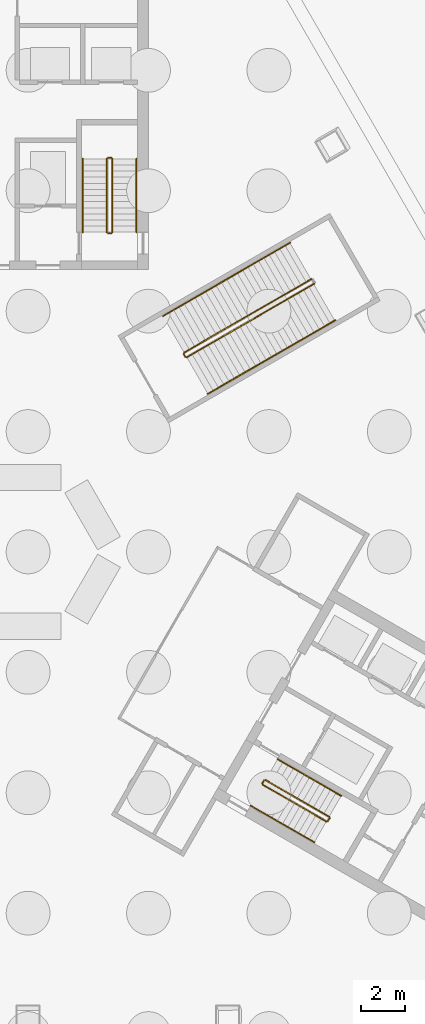
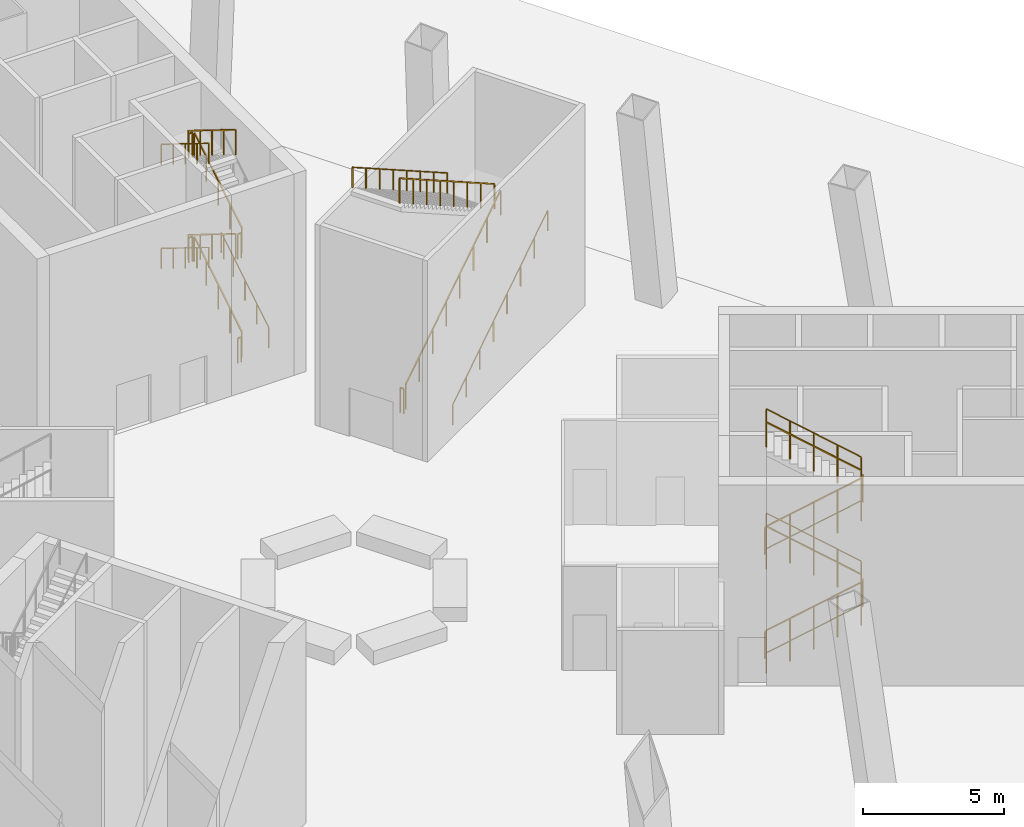
# One storey, part 8 of 10: 28 railings.
"""IFC4 building model written with IfcOpenShell, lengths in metres."""

from ifc_helpers import new_model, si_unit, direction, frame, origin, origin_2d, place, context, subcontext, project, spatial, rectangle, circle, extrude, material, type_object, element, save


model = new_model("IFC4")

# Units and contexts
model_context = context("Model", 3, precision=1e-05, world=origin(), true_north=direction((0.0, 1.0)))
body_context = subcontext(model_context, "Body", "Model", "MODEL_VIEW")
ifc_project = project(units=[si_unit("LENGTHUNIT", "METRE"), si_unit("AREAUNIT", "SQUARE_METRE"), si_unit("VOLUMEUNIT", "CUBIC_METRE"), si_unit("PLANEANGLEUNIT", "RADIAN"), si_unit("MASSUNIT", "GRAM", prefix="KILO")], contexts=[model_context])

# Site, building, storey
site_placement = place(None, origin())
site = spatial("IfcSite", under=ifc_project, at=site_placement, CompositionType="ELEMENT")
building_placement = place(site_placement, origin())
building = spatial("IfcBuilding", under=site, at=building_placement, Name="Apuvela Tower Hotel", CompositionType="ELEMENT")
storey_placement = place(building_placement, origin())
storey = spatial("IfcBuildingStorey", under=building, at=storey_placement, Name="L00", CompositionType="ELEMENT", Elevation=0.0)

# Railings
ifc_material_1 = material(Name="Steel S275 balustrade", Category="steel")
railing_type_1 = type_object("IfcRailingType", Name="COR-GUARD-1100", PredefinedType="GUARDRAIL", material=ifc_material_1)
railing_1_placement = place(storey_placement, frame((3.85009765625, 14.60009765625, 0.173095703125)))
element("IfcRailing", 1, at=railing_1_placement, inside=storey, type_object=railing_type_1, Name="L00 ST1 stair guard 1", PredefinedType="GUARDRAIL", context=body_context, shape_type="SweptSolid", body=[
    extrude(rectangle(XDim=0.048095703125, YDim=0.048095703125, at=origin_2d()), frame((0.0, 0.0, 1.076171875), z_axis=(0.0, 0.850606129759, 0.525803396734), x_axis=(-1.0, 0.0, 0.0)), (0.0, 0.0, 1.0), 3.949951171875),
    extrude(rectangle(XDim=0.0419921875, YDim=0.0419921875, at=origin_2d()), origin(), (0.0, 0.0, 1.0), 1.052001953125),
    extrude(rectangle(XDim=0.0419921875, YDim=0.0419921875, at=origin_2d()), frame((0.0, 0.83984375, 0.519287109375)), (0.0, 0.0, 1.0), 1.052001953125),
    extrude(rectangle(XDim=0.0419921875, YDim=0.0419921875, at=origin_2d()), frame((0.0, 1.679931640625, 1.03857421875)), (0.0, 0.0, 1.0), 1.052001953125),
    extrude(rectangle(XDim=0.0419921875, YDim=0.0419921875, at=origin_2d()), frame((0.0, 2.52001953125, 1.5576171875)), (0.0, 0.0, 1.0), 1.052001953125),
    extrude(rectangle(XDim=0.0419921875, YDim=0.0419921875, at=origin_2d()), frame((0.0, 3.35986328125, 2.076904296875)), (0.0, 0.0, 1.0), 1.052001953125),
])
railing_2_placement = place(storey_placement, frame((3.800048828125, 18.010009765625, 2.25)))
element("IfcRailing", 2, at=railing_2_placement, inside=storey, type_object=railing_type_1, Name="L00 ST1 stair guard 2", PredefinedType="GUARDRAIL", context=body_context, shape_type="SweptSolid", body=[
    extrude(rectangle(XDim=0.048095703125, YDim=0.048095703125, at=origin_2d()), frame((0.0, 0.0, 1.076171875), z_axis=(-1.0, 0.0, 0.0), x_axis=(0.0, -1.0, 0.0)), (0.0, 0.0, 1.0), 0.150146484375),
    extrude(rectangle(XDim=0.0419921875, YDim=0.0419921875, at=origin_2d()), origin(), (0.0, 0.0, 1.0), 1.052001953125),
    extrude(rectangle(XDim=0.0419921875, YDim=0.0419921875, at=origin_2d()), frame((-0.150146484375, 0.0, 0.0)), (0.0, 0.0, 1.0), 1.052001953125),
])
railing_3_placement = place(storey_placement, frame((3.60009765625, 17.9599609375, 2.423095703125)))
element("IfcRailing", 3, at=railing_3_placement, inside=storey, type_object=railing_type_1, Name="L00 ST1 stair guard 3", PredefinedType="GUARDRAIL", context=body_context, shape_type="SweptSolid", body=[
    extrude(rectangle(XDim=0.048095703125, YDim=0.048095703125, at=origin_2d()), frame((0.0, 0.0, 1.076171875), z_axis=(0.0, -0.850606129759, 0.525803396734), x_axis=(1.0, 0.0, 0.0)), (0.0, 0.0, 1.0), 3.949951171875),
    extrude(rectangle(XDim=0.0419921875, YDim=0.0419921875, at=origin_2d()), origin(), (0.0, 0.0, 1.0), 1.052001953125),
    extrude(rectangle(XDim=0.0419921875, YDim=0.0419921875, at=origin_2d()), frame((0.0, -0.83984375, 0.519287109375)), (0.0, 0.0, 1.0), 1.052001953125),
    extrude(rectangle(XDim=0.0419921875, YDim=0.0419921875, at=origin_2d()), frame((0.0, -1.679931640625, 1.03857421875)), (0.0, 0.0, 1.0), 1.052001953125),
    extrude(rectangle(XDim=0.0419921875, YDim=0.0419921875, at=origin_2d()), frame((0.0, -2.52001953125, 1.5576171875)), (0.0, 0.0, 1.0), 1.052001953125),
    extrude(rectangle(XDim=0.0419921875, YDim=0.0419921875, at=origin_2d()), frame((0.0, -3.35986328125, 2.076904296875)), (0.0, 0.0, 1.0), 1.052001953125),
])
railing_4_placement = place(storey_placement, frame((3.800048828125, 14.550048828125, 4.5)))
element("IfcRailing", 4, at=railing_4_placement, inside=storey, type_object=railing_type_1, Name="L00 ST1 stair guard 4", PredefinedType="GUARDRAIL", context=body_context, shape_type="SweptSolid", body=[
    extrude(rectangle(XDim=0.048095703125, YDim=0.048095703125, at=origin_2d()), frame((0.0, 0.0, 1.076171875), z_axis=(-1.0, 0.0, 0.0), x_axis=(0.0, -1.0, 0.0)), (0.0, 0.0, 1.0), 0.150146484375),
    extrude(rectangle(XDim=0.0419921875, YDim=0.0419921875, at=origin_2d()), origin(), (0.0, 0.0, 1.0), 1.052001953125),
    extrude(rectangle(XDim=0.0419921875, YDim=0.0419921875, at=origin_2d()), frame((-0.150146484375, 0.0, 0.0)), (0.0, 0.0, 1.0), 1.052001953125),
])
railing_5_placement = place(storey_placement, frame((3.85009765625, 14.60009765625, 4.673095703125)))
element("IfcRailing", 5, at=railing_5_placement, inside=storey, type_object=railing_type_1, Name="L00 ST1 stair guard 5", PredefinedType="GUARDRAIL", context=body_context, shape_type="SweptSolid", body=[
    extrude(rectangle(XDim=0.048095703125, YDim=0.048095703125, at=origin_2d()), frame((0.0, 0.0, 1.076171875), z_axis=(0.0, 0.850606129759, 0.525803396734), x_axis=(-1.0, 0.0, 0.0)), (0.0, 0.0, 1.0), 3.949951171875),
    extrude(rectangle(XDim=0.0419921875, YDim=0.0419921875, at=origin_2d()), origin(), (0.0, 0.0, 1.0), 1.052001953125),
    extrude(rectangle(XDim=0.0419921875, YDim=0.0419921875, at=origin_2d()), frame((0.0, 0.83984375, 0.519287109375)), (0.0, 0.0, 1.0), 1.052001953125),
    extrude(rectangle(XDim=0.0419921875, YDim=0.0419921875, at=origin_2d()), frame((0.0, 1.679931640625, 1.03857421875)), (0.0, 0.0, 1.0), 1.052001953125),
    extrude(rectangle(XDim=0.0419921875, YDim=0.0419921875, at=origin_2d()), frame((0.0, 2.52001953125, 1.5576171875)), (0.0, 0.0, 1.0), 1.052001953125),
    extrude(rectangle(XDim=0.0419921875, YDim=0.0419921875, at=origin_2d()), frame((0.0, 3.35986328125, 2.076904296875)), (0.0, 0.0, 1.0), 1.052001953125),
])
railing_6_placement = place(storey_placement, frame((3.800048828125, 18.010009765625, 6.75)))
element("IfcRailing", 6, at=railing_6_placement, inside=storey, type_object=railing_type_1, Name="L00 ST1 stair guard 6", PredefinedType="GUARDRAIL", context=body_context, shape_type="SweptSolid", body=[
    extrude(rectangle(XDim=0.048095703125, YDim=0.048095703125, at=origin_2d()), frame((0.0, 0.0, 1.076171875), z_axis=(-1.0, 0.0, 0.0), x_axis=(0.0, -1.0, 0.0)), (0.0, 0.0, 1.0), 0.150146484375),
    extrude(rectangle(XDim=0.0419921875, YDim=0.0419921875, at=origin_2d()), origin(), (0.0, 0.0, 1.0), 1.052001953125),
    extrude(rectangle(XDim=0.0419921875, YDim=0.0419921875, at=origin_2d()), frame((-0.150146484375, 0.0, 0.0)), (0.0, 0.0, 1.0), 1.052001953125),
])
railing_7_placement = place(storey_placement, frame((3.60009765625, 17.9599609375, 6.923095703125)))
element("IfcRailing", 7, at=railing_7_placement, inside=storey, type_object=railing_type_1, Name="L00 ST1 stair guard 7", PredefinedType="GUARDRAIL", context=body_context, shape_type="SweptSolid", body=[
    extrude(rectangle(XDim=0.048095703125, YDim=0.048095703125, at=origin_2d()), frame((0.0, 0.0, 1.076171875), z_axis=(0.0, -0.850606129759, 0.525803396734), x_axis=(1.0, 0.0, 0.0)), (0.0, 0.0, 1.0), 3.949951171875),
    extrude(rectangle(XDim=0.0419921875, YDim=0.0419921875, at=origin_2d()), origin(), (0.0, 0.0, 1.0), 1.052001953125),
    extrude(rectangle(XDim=0.0419921875, YDim=0.0419921875, at=origin_2d()), frame((0.0, -0.83984375, 0.519287109375)), (0.0, 0.0, 1.0), 1.052001953125),
    extrude(rectangle(XDim=0.0419921875, YDim=0.0419921875, at=origin_2d()), frame((0.0, -1.679931640625, 1.03857421875)), (0.0, 0.0, 1.0), 1.052001953125),
    extrude(rectangle(XDim=0.0419921875, YDim=0.0419921875, at=origin_2d()), frame((0.0, -2.52001953125, 1.5576171875)), (0.0, 0.0, 1.0), 1.052001953125),
    extrude(rectangle(XDim=0.0419921875, YDim=0.0419921875, at=origin_2d()), frame((0.0, -3.35986328125, 2.076904296875)), (0.0, 0.0, 1.0), 1.052001953125),
])
railing_8_placement = place(storey_placement, frame((3.800048828125, 14.550048828125, 0.0)))
element("IfcRailing", 8, at=railing_8_placement, inside=storey, type_object=railing_type_1, Name="L00 ST1 stair guard 8", PredefinedType="GUARDRAIL", context=body_context, shape_type="SweptSolid", body=[
    extrude(rectangle(XDim=0.048095703125, YDim=0.048095703125, at=origin_2d()), frame((0.0, 0.0, 1.076171875), z_axis=(-1.0, 0.0, 0.0), x_axis=(0.0, -1.0, 0.0)), (0.0, 0.0, 1.0), 0.150146484375),
    extrude(rectangle(XDim=0.0419921875, YDim=0.0419921875, at=origin_2d()), origin(), (0.0, 0.0, 1.0), 1.052001953125),
    extrude(rectangle(XDim=0.0419921875, YDim=0.0419921875, at=origin_2d()), frame((-0.150146484375, 0.0, 0.0)), (0.0, 0.0, 1.0), 1.052001953125),
])
railing_9_placement = place(storey_placement, frame((10.718994140625, -10.63427734375, 0.173095703125)))
element("IfcRailing", 9, at=railing_9_placement, inside=storey, type_object=railing_type_1, Name="L00 ST3 stair guard 1", PredefinedType="GUARDRAIL", context=body_context, shape_type="SweptSolid", body=[
    extrude(rectangle(XDim=0.048095703125, YDim=0.048095703125, at=origin_2d()), frame((0.0, 0.0, 1.076171875), z_axis=(0.736667954249, -0.425288379326, 0.525785240943), x_axis=(0.499976138585, 0.866039179741, 0.0)), (0.0, 0.0, 1.0), 3.9501953125),
    extrude(rectangle(XDim=0.0419921875, YDim=0.0419921875, at=origin_2d()), origin(), (0.0, 0.0, 1.0), 1.052001953125),
    extrude(rectangle(XDim=0.0419921875, YDim=0.0419921875, at=origin_2d()), frame((0.7275390625, -0.419921875, 0.519287109375)), (0.0, 0.0, 1.0), 1.052001953125),
    extrude(rectangle(XDim=0.0419921875, YDim=0.0419921875, at=origin_2d()), frame((1.455078125, -0.83984375, 1.03857421875)), (0.0, 0.0, 1.0), 1.052001953125),
    extrude(rectangle(XDim=0.0419921875, YDim=0.0419921875, at=origin_2d()), frame((2.182373046875, -1.260009765625, 1.5576171875)), (0.0, 0.0, 1.0), 1.052001953125),
    extrude(rectangle(XDim=0.0419921875, YDim=0.0419921875, at=origin_2d()), frame((2.909912109375, -1.679931640625, 2.076904296875)), (0.0, 0.0, 1.0), 1.052001953125),
])
railing_10_placement = place(storey_placement, frame((13.697021484375, -12.2958984375, 2.25)))
element("IfcRailing", 10, at=railing_10_placement, inside=storey, type_object=railing_type_1, Name="L00 ST3 stair guard 2", PredefinedType="GUARDRAIL", context=body_context, shape_type="SweptSolid", body=[
    extrude(rectangle(XDim=0.048095703125, YDim=0.048095703125, at=origin_2d()), frame((0.0, 0.0, 1.076171875), z_axis=(0.501036270542, 0.865426285481, 0.0), x_axis=(-0.865426285481, 0.501036270542, 0.0)), (0.0, 0.0, 1.0), 0.150146484375),
    extrude(rectangle(XDim=0.0419921875, YDim=0.0419921875, at=origin_2d()), origin(), (0.0, 0.0, 1.0), 1.052001953125),
    extrude(rectangle(XDim=0.0419921875, YDim=0.0419921875, at=origin_2d()), frame((0.0751953125, 0.1298828125, 0.0)), (0.0, 0.0, 1.0), 1.052001953125),
])
railing_11_placement = place(storey_placement, frame((13.75390625, -12.09765625, 2.423095703125)))
element("IfcRailing", 11, at=railing_11_placement, inside=storey, type_object=railing_type_1, Name="L00 ST3 stair guard 3", PredefinedType="GUARDRAIL", context=body_context, shape_type="SweptSolid", body=[
    extrude(rectangle(XDim=0.048095703125, YDim=0.048095703125, at=origin_2d()), frame((0.0, 0.0, 1.076171875), z_axis=(-0.736667954249, 0.425288379326, 0.525785240943), x_axis=(-0.499976138585, -0.866039179741, 0.0)), (0.0, 0.0, 1.0), 3.9501953125),
    extrude(rectangle(XDim=0.0419921875, YDim=0.0419921875, at=origin_2d()), origin(), (0.0, 0.0, 1.0), 1.052001953125),
    extrude(rectangle(XDim=0.0419921875, YDim=0.0419921875, at=origin_2d()), frame((-0.7275390625, 0.419921875, 0.519287109375)), (0.0, 0.0, 1.0), 1.052001953125),
    extrude(rectangle(XDim=0.0419921875, YDim=0.0419921875, at=origin_2d()), frame((-1.455078125, 0.83984375, 1.03857421875)), (0.0, 0.0, 1.0), 1.052001953125),
    extrude(rectangle(XDim=0.0419921875, YDim=0.0419921875, at=origin_2d()), frame((-2.182373046875, 1.260009765625, 1.5576171875)), (0.0, 0.0, 1.0), 1.052001953125),
    extrude(rectangle(XDim=0.0419921875, YDim=0.0419921875, at=origin_2d()), frame((-2.909912109375, 1.679931640625, 2.076904296875)), (0.0, 0.0, 1.0), 1.052001953125),
])
railing_12_placement = place(storey_placement, frame((10.70068359375, -10.56591796875, 4.5)))
element("IfcRailing", 12, at=railing_12_placement, inside=storey, type_object=railing_type_1, Name="L00 ST3 stair guard 4", PredefinedType="GUARDRAIL", context=body_context, shape_type="SweptSolid", body=[
    extrude(rectangle(XDim=0.048095703125, YDim=0.048095703125, at=origin_2d()), frame((0.0, 0.0, 1.076171875), z_axis=(0.499816412211, 0.866131372301, 0.0), x_axis=(-0.866131372301, 0.499816412211, 0.0)), (0.0, 0.0, 1.0), 0.14990234375),
    extrude(rectangle(XDim=0.0419921875, YDim=0.0419921875, at=origin_2d()), origin(), (0.0, 0.0, 1.0), 1.052001953125),
    extrude(rectangle(XDim=0.0419921875, YDim=0.0419921875, at=origin_2d()), frame((0.074951171875, 0.1298828125, 0.0)), (0.0, 0.0, 1.0), 1.052001953125),
])
railing_13_placement = place(storey_placement, frame((10.718994140625, -10.63427734375, 4.673095703125)))
element("IfcRailing", 13, at=railing_13_placement, inside=storey, type_object=railing_type_1, Name="L00 ST3 stair guard 5", PredefinedType="GUARDRAIL", context=body_context, shape_type="SweptSolid", body=[
    extrude(rectangle(XDim=0.048095703125, YDim=0.048095703125, at=origin_2d()), frame((0.0, 0.0, 1.076171875), z_axis=(0.736667954249, -0.425288379326, 0.525785240943), x_axis=(0.499976138585, 0.866039179741, 0.0)), (0.0, 0.0, 1.0), 3.9501953125),
    extrude(rectangle(XDim=0.0419921875, YDim=0.0419921875, at=origin_2d()), origin(), (0.0, 0.0, 1.0), 1.052001953125),
    extrude(rectangle(XDim=0.0419921875, YDim=0.0419921875, at=origin_2d()), frame((0.7275390625, -0.419921875, 0.519287109375)), (0.0, 0.0, 1.0), 1.052001953125),
    extrude(rectangle(XDim=0.0419921875, YDim=0.0419921875, at=origin_2d()), frame((1.455078125, -0.83984375, 1.03857421875)), (0.0, 0.0, 1.0), 1.052001953125),
    extrude(rectangle(XDim=0.0419921875, YDim=0.0419921875, at=origin_2d()), frame((2.182373046875, -1.260009765625, 1.5576171875)), (0.0, 0.0, 1.0), 1.052001953125),
    extrude(rectangle(XDim=0.0419921875, YDim=0.0419921875, at=origin_2d()), frame((2.909912109375, -1.679931640625, 2.076904296875)), (0.0, 0.0, 1.0), 1.052001953125),
])
railing_14_placement = place(storey_placement, frame((13.697021484375, -12.2958984375, 6.75)))
element("IfcRailing", 14, at=railing_14_placement, inside=storey, type_object=railing_type_1, Name="L00 ST3 stair guard 6", PredefinedType="GUARDRAIL", context=body_context, shape_type="SweptSolid", body=[
    extrude(rectangle(XDim=0.048095703125, YDim=0.048095703125, at=origin_2d()), frame((0.0, 0.0, 1.076171875), z_axis=(0.501036270542, 0.865426285481, 0.0), x_axis=(-0.865426285481, 0.501036270542, 0.0)), (0.0, 0.0, 1.0), 0.150146484375),
    extrude(rectangle(XDim=0.0419921875, YDim=0.0419921875, at=origin_2d()), origin(), (0.0, 0.0, 1.0), 1.052001953125),
    extrude(rectangle(XDim=0.0419921875, YDim=0.0419921875, at=origin_2d()), frame((0.0751953125, 0.1298828125, 0.0)), (0.0, 0.0, 1.0), 1.052001953125),
])
railing_15_placement = place(storey_placement, frame((13.75390625, -12.09765625, 6.923095703125)))
element("IfcRailing", 15, at=railing_15_placement, inside=storey, type_object=railing_type_1, Name="L00 ST3 stair guard 7", PredefinedType="GUARDRAIL", context=body_context, shape_type="SweptSolid", body=[
    extrude(rectangle(XDim=0.048095703125, YDim=0.048095703125, at=origin_2d()), frame((0.0, 0.0, 1.076171875), z_axis=(-0.736667954249, 0.425288379326, 0.525785240943), x_axis=(-0.499976138585, -0.866039179741, 0.0)), (0.0, 0.0, 1.0), 3.9501953125),
    extrude(rectangle(XDim=0.0419921875, YDim=0.0419921875, at=origin_2d()), origin(), (0.0, 0.0, 1.0), 1.052001953125),
    extrude(rectangle(XDim=0.0419921875, YDim=0.0419921875, at=origin_2d()), frame((-0.7275390625, 0.419921875, 0.519287109375)), (0.0, 0.0, 1.0), 1.052001953125),
    extrude(rectangle(XDim=0.0419921875, YDim=0.0419921875, at=origin_2d()), frame((-1.455078125, 0.83984375, 1.03857421875)), (0.0, 0.0, 1.0), 1.052001953125),
    extrude(rectangle(XDim=0.0419921875, YDim=0.0419921875, at=origin_2d()), frame((-2.182373046875, 1.260009765625, 1.5576171875)), (0.0, 0.0, 1.0), 1.052001953125),
    extrude(rectangle(XDim=0.0419921875, YDim=0.0419921875, at=origin_2d()), frame((-2.909912109375, 1.679931640625, 2.076904296875)), (0.0, 0.0, 1.0), 1.052001953125),
])
railing_16_placement = place(storey_placement, frame((10.70068359375, -10.56591796875, 0.0)))
element("IfcRailing", 16, at=railing_16_placement, inside=storey, type_object=railing_type_1, Name="L00 ST3 stair guard 8", PredefinedType="GUARDRAIL", context=body_context, shape_type="SweptSolid", body=[
    extrude(rectangle(XDim=0.048095703125, YDim=0.048095703125, at=origin_2d()), frame((0.0, 0.0, 1.076171875), z_axis=(0.499816412211, 0.866131372301, 0.0), x_axis=(-0.866131372301, 0.499816412211, 0.0)), (0.0, 0.0, 1.0), 0.14990234375),
    extrude(rectangle(XDim=0.0419921875, YDim=0.0419921875, at=origin_2d()), origin(), (0.0, 0.0, 1.0), 1.052001953125),
    extrude(rectangle(XDim=0.0419921875, YDim=0.0419921875, at=origin_2d()), frame((0.074951171875, 0.1298828125, 0.0)), (0.0, 0.0, 1.0), 1.052001953125),
])
ifc_material_2 = material(Name="Stainless steel 316 handrail", Category="steel")
railing_type_2 = type_object("IfcRailingType", Name="COR-HANDRAIL-900", PredefinedType="HANDRAIL", material=ifc_material_2)
railing_17_placement = place(storey_placement, frame((4.949951171875, 14.60009765625, 0.173095703125)))
element("IfcRailing", 17, at=railing_17_placement, inside=storey, type_object=railing_type_2, Name="L00 ST1 stair handrail 1", PredefinedType="HANDRAIL", context=body_context, shape_type="SweptSolid", body=[
    extrude(circle(Radius=0.02392578125, at=origin_2d()), frame((0.0, 0.0, 0.8759765625), z_axis=(0.0, 0.850606129759, 0.525803396734), x_axis=(-1.0, 0.0, 0.0)), (0.0, 0.0, 1.0), 3.949951171875),
    extrude(rectangle(XDim=0.0419921875, YDim=0.0419921875, at=origin_2d()), origin(), (0.0, 0.0, 1.0), 0.851806640625),
    extrude(rectangle(XDim=0.0419921875, YDim=0.0419921875, at=origin_2d()), frame((0.0, 0.83984375, 0.519287109375)), (0.0, 0.0, 1.0), 0.851806640625),
    extrude(rectangle(XDim=0.0419921875, YDim=0.0419921875, at=origin_2d()), frame((0.0, 1.679931640625, 1.03857421875)), (0.0, 0.0, 1.0), 0.851806640625),
    extrude(rectangle(XDim=0.0419921875, YDim=0.0419921875, at=origin_2d()), frame((0.0, 2.52001953125, 1.5576171875)), (0.0, 0.0, 1.0), 0.851806640625),
    extrude(rectangle(XDim=0.0419921875, YDim=0.0419921875, at=origin_2d()), frame((0.0, 3.35986328125, 2.076904296875)), (0.0, 0.0, 1.0), 0.851806640625),
])
for number, where, name in (
    (18, (2.5, 17.9599609375, 2.423095703125), "L00 ST1 stair handrail 2"),
    (19, (2.5, 17.9599609375, 6.923095703125), "L00 ST1 stair handrail 4"),
):
    element("IfcRailing", number, at=place(storey_placement, frame(where)), inside=storey, type_object=railing_type_2, Name=name, PredefinedType="HANDRAIL", context=body_context, shape_type="SweptSolid", body=[
        extrude(circle(Radius=0.02392578125, at=origin_2d()), frame((0.0, 0.0, 0.8759765625), z_axis=(0.0, -0.850606129759, 0.525803396734), x_axis=(1.0, 0.0, 0.0)), (0.0, 0.0, 1.0), 3.949951171875),
        extrude(rectangle(XDim=0.0419921875, YDim=0.0419921875, at=origin_2d()), origin(), (0.0, 0.0, 1.0), 0.851806640625),
        extrude(rectangle(XDim=0.0419921875, YDim=0.0419921875, at=origin_2d()), frame((0.0, -0.83984375, 0.519287109375)), (0.0, 0.0, 1.0), 0.851806640625),
        extrude(rectangle(XDim=0.0419921875, YDim=0.0419921875, at=origin_2d()), frame((0.0, -1.679931640625, 1.03857421875)), (0.0, 0.0, 1.0), 0.851806640625),
        extrude(rectangle(XDim=0.0419921875, YDim=0.0419921875, at=origin_2d()), frame((0.0, -2.52001953125, 1.5576171875)), (0.0, 0.0, 1.0), 0.851806640625),
        extrude(rectangle(XDim=0.0419921875, YDim=0.0419921875, at=origin_2d()), frame((0.0, -3.35986328125, 2.076904296875)), (0.0, 0.0, 1.0), 0.851806640625),
    ])
railing_18_placement = place(storey_placement, frame((10.1689453125, -11.5869140625, 0.173095703125)))
element("IfcRailing", 20, at=railing_18_placement, inside=storey, type_object=railing_type_2, Name="L00 ST3 stair handrail 1", PredefinedType="HANDRAIL", context=body_context, shape_type="SweptSolid", body=[
    extrude(circle(Radius=0.02392578125, at=origin_2d()), frame((0.0, 0.0, 0.8759765625), z_axis=(0.736667954249, -0.425288379326, 0.525785240943), x_axis=(0.499976138585, 0.866039179741, 0.0)), (0.0, 0.0, 1.0), 3.9501953125),
    extrude(rectangle(XDim=0.0419921875, YDim=0.0419921875, at=origin_2d()), origin(), (0.0, 0.0, 1.0), 0.851806640625),
    extrude(rectangle(XDim=0.0419921875, YDim=0.0419921875, at=origin_2d()), frame((0.7275390625, -0.419921875, 0.519287109375)), (0.0, 0.0, 1.0), 0.851806640625),
    extrude(rectangle(XDim=0.0419921875, YDim=0.0419921875, at=origin_2d()), frame((1.455078125, -0.83984375, 1.03857421875)), (0.0, 0.0, 1.0), 0.851806640625),
    extrude(rectangle(XDim=0.0419921875, YDim=0.0419921875, at=origin_2d()), frame((2.182373046875, -1.260009765625, 1.5576171875)), (0.0, 0.0, 1.0), 0.851806640625),
    extrude(rectangle(XDim=0.0419921875, YDim=0.0419921875, at=origin_2d()), frame((2.909912109375, -1.679931640625, 2.076904296875)), (0.0, 0.0, 1.0), 0.851806640625),
])
railing_19_placement = place(storey_placement, frame((14.3037109375, -11.14501953125, 2.423095703125)))
element("IfcRailing", 21, at=railing_19_placement, inside=storey, type_object=railing_type_2, Name="L00 ST3 stair handrail 2", PredefinedType="HANDRAIL", context=body_context, shape_type="SweptSolid", body=[
    extrude(circle(Radius=0.02392578125, at=origin_2d()), frame((0.0, 0.0, 0.8759765625), z_axis=(-0.736639687092, 0.425307743487, 0.525809180911), x_axis=(-0.500007602105, -0.866021014662, 0.0)), (0.0, 0.0, 1.0), 3.949951171875),
    extrude(rectangle(XDim=0.0419921875, YDim=0.0419921875, at=origin_2d()), origin(), (0.0, 0.0, 1.0), 0.851806640625),
    extrude(rectangle(XDim=0.0419921875, YDim=0.0419921875, at=origin_2d()), frame((-0.7275390625, 0.419921875, 0.519287109375)), (0.0, 0.0, 1.0), 0.851806640625),
    extrude(rectangle(XDim=0.0419921875, YDim=0.0419921875, at=origin_2d()), frame((-1.454833984375, 0.83984375, 1.03857421875)), (0.0, 0.0, 1.0), 0.851806640625),
    extrude(rectangle(XDim=0.0419921875, YDim=0.0419921875, at=origin_2d()), frame((-2.18212890625, 1.260009765625, 1.5576171875)), (0.0, 0.0, 1.0), 0.851806640625),
    extrude(rectangle(XDim=0.0419921875, YDim=0.0419921875, at=origin_2d()), frame((-2.90966796875, 1.679931640625, 2.076904296875)), (0.0, 0.0, 1.0), 0.851806640625),
])
railing_20_placement = place(storey_placement, frame((10.1689453125, -11.5869140625, 4.673095703125)))
element("IfcRailing", 22, at=railing_20_placement, inside=storey, type_object=railing_type_2, Name="L00 ST3 stair handrail 3", PredefinedType="HANDRAIL", context=body_context, shape_type="SweptSolid", body=[
    extrude(circle(Radius=0.02392578125, at=origin_2d()), frame((0.0, 0.0, 0.8759765625), z_axis=(0.736667954249, -0.425288379326, 0.525785240943), x_axis=(0.499976138585, 0.866039179741, 0.0)), (0.0, 0.0, 1.0), 3.9501953125),
    extrude(rectangle(XDim=0.0419921875, YDim=0.0419921875, at=origin_2d()), origin(), (0.0, 0.0, 1.0), 0.851806640625),
    extrude(rectangle(XDim=0.0419921875, YDim=0.0419921875, at=origin_2d()), frame((0.7275390625, -0.419921875, 0.519287109375)), (0.0, 0.0, 1.0), 0.851806640625),
    extrude(rectangle(XDim=0.0419921875, YDim=0.0419921875, at=origin_2d()), frame((1.455078125, -0.83984375, 1.03857421875)), (0.0, 0.0, 1.0), 0.851806640625),
    extrude(rectangle(XDim=0.0419921875, YDim=0.0419921875, at=origin_2d()), frame((2.182373046875, -1.260009765625, 1.5576171875)), (0.0, 0.0, 1.0), 0.851806640625),
    extrude(rectangle(XDim=0.0419921875, YDim=0.0419921875, at=origin_2d()), frame((2.909912109375, -1.679931640625, 2.076904296875)), (0.0, 0.0, 1.0), 0.851806640625),
])
railing_21_placement = place(storey_placement, frame((14.3037109375, -11.14501953125, 6.923095703125)))
element("IfcRailing", 23, at=railing_21_placement, inside=storey, type_object=railing_type_2, Name="L00 ST3 stair handrail 4", PredefinedType="HANDRAIL", context=body_context, shape_type="SweptSolid", body=[
    extrude(circle(Radius=0.02392578125, at=origin_2d()), frame((0.0, 0.0, 0.8759765625), z_axis=(-0.736639687092, 0.425307743487, 0.525809180911), x_axis=(-0.500007602105, -0.866021014662, 0.0)), (0.0, 0.0, 1.0), 3.949951171875),
    extrude(rectangle(XDim=0.0419921875, YDim=0.0419921875, at=origin_2d()), origin(), (0.0, 0.0, 1.0), 0.851806640625),
    extrude(rectangle(XDim=0.0419921875, YDim=0.0419921875, at=origin_2d()), frame((-0.7275390625, 0.419921875, 0.519287109375)), (0.0, 0.0, 1.0), 0.851806640625),
    extrude(rectangle(XDim=0.0419921875, YDim=0.0419921875, at=origin_2d()), frame((-1.454833984375, 0.83984375, 1.03857421875)), (0.0, 0.0, 1.0), 0.851806640625),
    extrude(rectangle(XDim=0.0419921875, YDim=0.0419921875, at=origin_2d()), frame((-2.18212890625, 1.260009765625, 1.5576171875)), (0.0, 0.0, 1.0), 0.851806640625),
    extrude(rectangle(XDim=0.0419921875, YDim=0.0419921875, at=origin_2d()), frame((-2.90966796875, 1.679931640625, 2.076904296875)), (0.0, 0.0, 1.0), 0.851806640625),
])
ifc_material_3 = material(Name="Steel S355 guard with laminated glass infill", Category="steel")
railing_type_3 = type_object("IfcRailingType", Name="SPC-GUARD-1100", PredefinedType="GUARDRAIL", material=ifc_material_3)
railing_22_placement = place(storey_placement, frame((7.250732421875, 8.8916015625, 0.179931640625)))
element("IfcRailing", 24, at=railing_22_placement, inside=storey, type_object=railing_type_3, Name="L00 PS1 stair guard 1", PredefinedType="GUARDRAIL", context=body_context, shape_type="SweptSolid", body=[
    extrude(rectangle(XDim=0.048095703125, YDim=0.048095703125, at=origin_2d()), frame((0.0, 0.0, 1.076171875), z_axis=(0.728477301835, 0.420577447995, 0.540772993916), x_axis=(-0.499991869933, 0.86603009763, 0.0)), (0.0, 0.0, 1.0), 7.98876953125),
    extrude(rectangle(XDim=0.0419921875, YDim=0.0419921875, at=origin_2d()), origin(), (0.0, 0.0, 1.0), 1.052001953125),
    extrude(rectangle(XDim=0.0419921875, YDim=0.0419921875, at=origin_2d()), frame((0.831298828125, 0.47998046875, 0.6171875)), (0.0, 0.0, 1.0), 1.052001953125),
    extrude(rectangle(XDim=0.0419921875, YDim=0.0419921875, at=origin_2d()), frame((1.662841796875, 0.9599609375, 1.234375)), (0.0, 0.0, 1.0), 1.052001953125),
    extrude(rectangle(XDim=0.0419921875, YDim=0.0419921875, at=origin_2d()), frame((2.494140625, 1.43994140625, 1.8515625)), (0.0, 0.0, 1.0), 1.052001953125),
    extrude(rectangle(XDim=0.0419921875, YDim=0.0419921875, at=origin_2d()), frame((3.325439453125, 1.919921875, 2.468505859375)), (0.0, 0.0, 1.0), 1.052001953125),
    extrude(rectangle(XDim=0.0419921875, YDim=0.0419921875, at=origin_2d()), frame((4.15673828125, 2.39990234375, 3.085693359375)), (0.0, 0.0, 1.0), 1.052001953125),
    extrude(rectangle(XDim=0.0419921875, YDim=0.0419921875, at=origin_2d()), frame((4.98828125, 2.8798828125, 3.702880859375)), (0.0, 0.0, 1.0), 1.052001953125),
    extrude(rectangle(XDim=0.0419921875, YDim=0.0419921875, at=origin_2d()), frame((5.819580078125, 3.35986328125, 4.320068359375)), (0.0, 0.0, 1.0), 1.052001953125),
])
railing_23_placement = place(storey_placement, frame((12.9453125, 12.468017578125, 4.679931640625)))
element("IfcRailing", 25, at=railing_23_placement, inside=storey, type_object=railing_type_3, Name="L00 PS1 stair guard 3", PredefinedType="GUARDRAIL", context=body_context, shape_type="SweptSolid", body=[
    extrude(rectangle(XDim=0.048095703125, YDim=0.048095703125, at=origin_2d()), frame((0.0, 0.0, 1.076171875), z_axis=(-0.728477301835, -0.420577447995, 0.540772993916), x_axis=(0.499991869933, -0.86603009763, 0.0)), (0.0, 0.0, 1.0), 7.98876953125),
    extrude(rectangle(XDim=0.0419921875, YDim=0.0419921875, at=origin_2d()), origin(), (0.0, 0.0, 1.0), 1.052001953125),
    extrude(rectangle(XDim=0.0419921875, YDim=0.0419921875, at=origin_2d()), frame((-0.831298828125, -0.47998046875, 0.6171875)), (0.0, 0.0, 1.0), 1.052001953125),
    extrude(rectangle(XDim=0.0419921875, YDim=0.0419921875, at=origin_2d()), frame((-1.662841796875, -0.9599609375, 1.234375)), (0.0, 0.0, 1.0), 1.052001953125),
    extrude(rectangle(XDim=0.0419921875, YDim=0.0419921875, at=origin_2d()), frame((-2.494140625, -1.43994140625, 1.8515625)), (0.0, 0.0, 1.0), 1.052001953125),
    extrude(rectangle(XDim=0.0419921875, YDim=0.0419921875, at=origin_2d()), frame((-3.325439453125, -1.919921875, 2.468505859375)), (0.0, 0.0, 1.0), 1.052001953125),
    extrude(rectangle(XDim=0.0419921875, YDim=0.0419921875, at=origin_2d()), frame((-4.15673828125, -2.39990234375, 3.085693359375)), (0.0, 0.0, 1.0), 1.052001953125),
    extrude(rectangle(XDim=0.0419921875, YDim=0.0419921875, at=origin_2d()), frame((-4.98828125, -2.8798828125, 3.702880859375)), (0.0, 0.0, 1.0), 1.052001953125),
    extrude(rectangle(XDim=0.0419921875, YDim=0.0419921875, at=origin_2d()), frame((-5.819580078125, -3.35986328125, 4.320068359375)), (0.0, 0.0, 1.0), 1.052001953125),
])
railing_24_placement = place(storey_placement, frame((7.182373046875, 8.909912109375, 0.0)))
element("IfcRailing", 26, at=railing_24_placement, inside=storey, type_object=railing_type_3, Name="L00 PS1 stair guard 4", PredefinedType="GUARDRAIL", context=body_context, shape_type="SweptSolid", body=[
    extrude(rectangle(XDim=0.048095703125, YDim=0.048095703125, at=origin_2d()), frame((0.0, 0.0, 1.076171875), z_axis=(-0.499816412211, 0.866131372301, 0.0), x_axis=(-0.866131372301, -0.499816412211, 0.0)), (0.0, 0.0, 1.0), 0.14990234375),
    extrude(rectangle(XDim=0.0419921875, YDim=0.0419921875, at=origin_2d()), origin(), (0.0, 0.0, 1.0), 1.052001953125),
    extrude(rectangle(XDim=0.0419921875, YDim=0.0419921875, at=origin_2d()), frame((-0.074951171875, 0.1298828125, 0.0)), (0.0, 0.0, 1.0), 1.052001953125),
])
ifc_material_4 = material(Name="Steel S355 tube handrail", Category="steel")
railing_type_4 = type_object("IfcRailingType", Name="SPC-HANDRAIL-900", PredefinedType="HANDRAIL", material=ifc_material_4)
railing_25_placement = place(storey_placement, frame((8.213134765625, 7.224365234375, 0.179931640625)))
element("IfcRailing", 27, at=railing_25_placement, inside=storey, type_object=railing_type_4, Name="L00 PS1 stair handrail 1", PredefinedType="HANDRAIL", context=body_context, shape_type="SweptSolid", body=[
    extrude(circle(Radius=0.02392578125, at=origin_2d()), frame((0.0, 0.0, 0.8759765625), z_axis=(0.72846793843, 0.420602602534, 0.540766043148), x_axis=(-0.500019117989, 0.866014365727, 0.0)), (0.0, 0.0, 1.0), 7.98876953125),
    extrude(rectangle(XDim=0.0419921875, YDim=0.0419921875, at=origin_2d()), origin(), (0.0, 0.0, 1.0), 0.851806640625),
    extrude(rectangle(XDim=0.0419921875, YDim=0.0419921875, at=origin_2d()), frame((0.831298828125, 0.47998046875, 0.6171875)), (0.0, 0.0, 1.0), 0.851806640625),
    extrude(rectangle(XDim=0.0419921875, YDim=0.0419921875, at=origin_2d()), frame((1.662841796875, 0.9599609375, 1.234375)), (0.0, 0.0, 1.0), 0.851806640625),
    extrude(rectangle(XDim=0.0419921875, YDim=0.0419921875, at=origin_2d()), frame((2.494140625, 1.43994140625, 1.8515625)), (0.0, 0.0, 1.0), 0.851806640625),
    extrude(rectangle(XDim=0.0419921875, YDim=0.0419921875, at=origin_2d()), frame((3.325439453125, 1.920166015625, 2.468505859375)), (0.0, 0.0, 1.0), 0.851806640625),
    extrude(rectangle(XDim=0.0419921875, YDim=0.0419921875, at=origin_2d()), frame((4.15673828125, 2.400146484375, 3.085693359375)), (0.0, 0.0, 1.0), 0.851806640625),
    extrude(rectangle(XDim=0.0419921875, YDim=0.0419921875, at=origin_2d()), frame((4.98828125, 2.880126953125, 3.702880859375)), (0.0, 0.0, 1.0), 0.851806640625),
    extrude(rectangle(XDim=0.0419921875, YDim=0.0419921875, at=origin_2d()), frame((5.819580078125, 3.360107421875, 4.320068359375)), (0.0, 0.0, 1.0), 0.851806640625),
])
railing_26_placement = place(storey_placement, frame((11.98291015625, 14.13525390625, 4.679931640625)))
element("IfcRailing", 28, at=railing_26_placement, inside=storey, type_object=railing_type_4, Name="L00 PS1 stair handrail 2", PredefinedType="HANDRAIL", context=body_context, shape_type="SweptSolid", body=[
    extrude(circle(Radius=0.02392578125, at=origin_2d()), frame((0.0, 0.0, 0.8759765625), z_axis=(-0.728482280993, -0.420593239085, 0.540754004622), x_axis=(0.500003386355, -0.866023448662, 0.0)), (0.0, 0.0, 1.0), 7.989013671875),
    extrude(rectangle(XDim=0.0419921875, YDim=0.0419921875, at=origin_2d()), origin(), (0.0, 0.0, 1.0), 0.851806640625),
    extrude(rectangle(XDim=0.0419921875, YDim=0.0419921875, at=origin_2d()), frame((-0.831298828125, -0.47998046875, 0.6171875)), (0.0, 0.0, 1.0), 0.851806640625),
    extrude(rectangle(XDim=0.0419921875, YDim=0.0419921875, at=origin_2d()), frame((-1.662841796875, -0.9599609375, 1.234375)), (0.0, 0.0, 1.0), 0.851806640625),
    extrude(rectangle(XDim=0.0419921875, YDim=0.0419921875, at=origin_2d()), frame((-2.494140625, -1.43994140625, 1.8515625)), (0.0, 0.0, 1.0), 0.851806640625),
    extrude(rectangle(XDim=0.0419921875, YDim=0.0419921875, at=origin_2d()), frame((-3.32568359375, -1.920166015625, 2.468505859375)), (0.0, 0.0, 1.0), 0.851806640625),
    extrude(rectangle(XDim=0.0419921875, YDim=0.0419921875, at=origin_2d()), frame((-4.156982421875, -2.400146484375, 3.085693359375)), (0.0, 0.0, 1.0), 0.851806640625),
    extrude(rectangle(XDim=0.0419921875, YDim=0.0419921875, at=origin_2d()), frame((-4.988525390625, -2.880126953125, 3.702880859375)), (0.0, 0.0, 1.0), 0.851806640625),
    extrude(rectangle(XDim=0.0419921875, YDim=0.0419921875, at=origin_2d()), frame((-5.81982421875, -3.360107421875, 4.320068359375)), (0.0, 0.0, 1.0), 0.851806640625),
])

save(model, "model.ifc")
